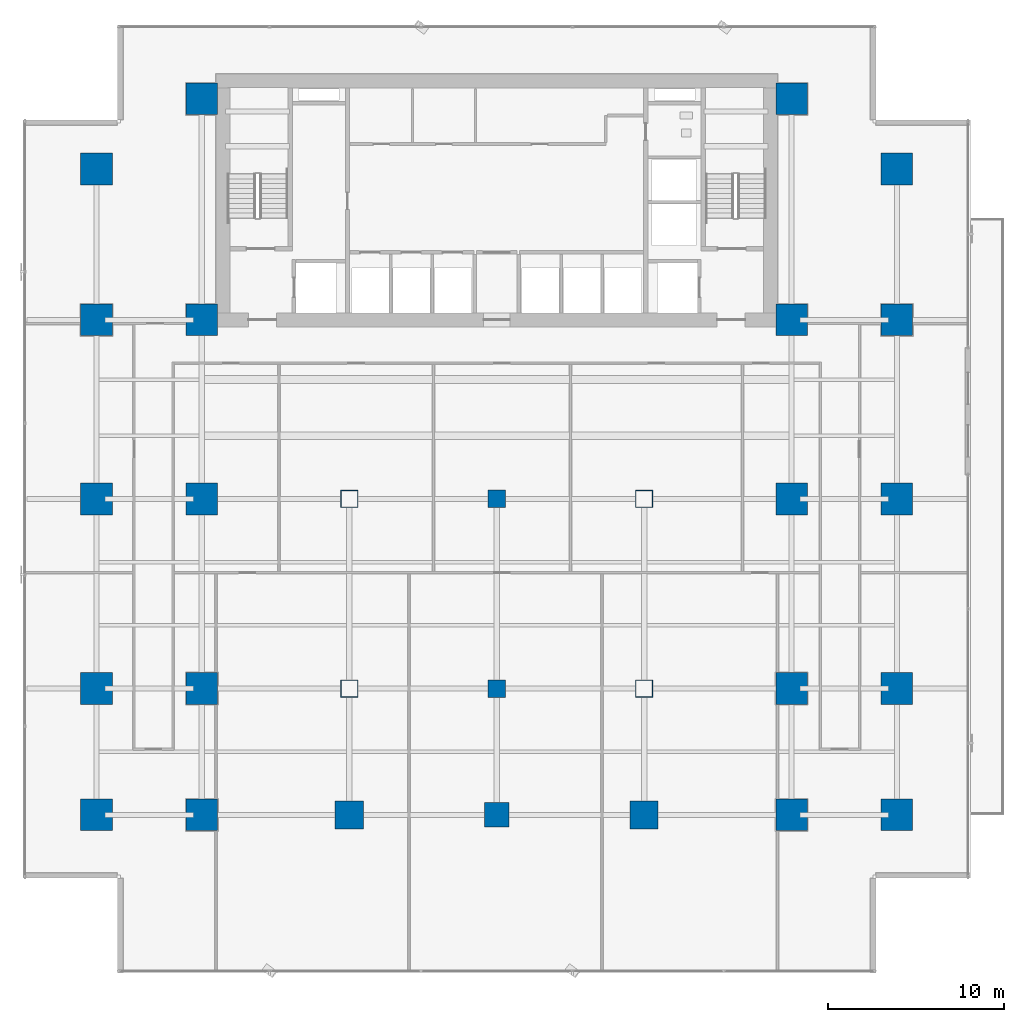
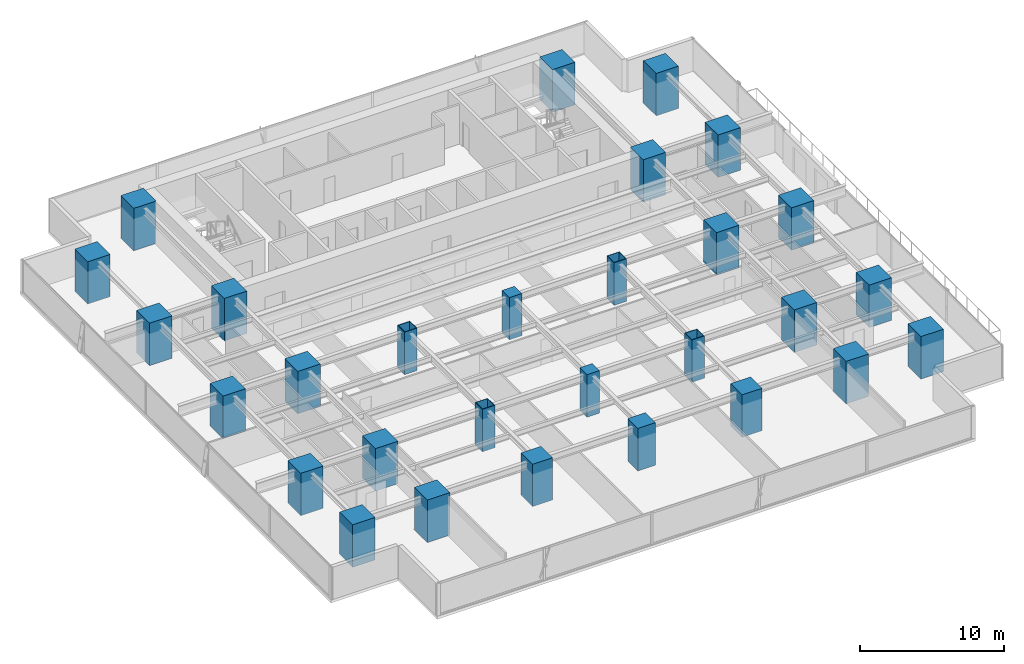
# One storey, part 1 of 33: 29 columns.
"""IFC4 building model written with IfcOpenShell, lengths in metres."""

from ifc_helpers import new_model, si_unit, direction, frame, origin, origin_2d, place, context, subcontext, project, spatial, rectangle, hollow_rectangle, extrude, source, transform, mapped, material, material_profile, profile_set, type_object, element, save


model = new_model("IFC4")

# Units and contexts
model_context = context("Model", 3, precision=1e-05, world=origin(), true_north=direction((0.0, 1.0)))
body_context = subcontext(model_context, "Body", "Model", "MODEL_VIEW")
ifc_project = project(units=[si_unit("LENGTHUNIT", "METRE"), si_unit("AREAUNIT", "SQUARE_METRE"), si_unit("VOLUMEUNIT", "CUBIC_METRE"), si_unit("PLANEANGLEUNIT", "RADIAN"), si_unit("MASSUNIT", "GRAM", prefix="KILO")], contexts=[model_context])

# Site, building, storey
site_placement = place(None, origin())
site = spatial("IfcSite", under=ifc_project, at=site_placement, CompositionType="ELEMENT")
building_placement = place(site_placement, origin())
building = spatial("IfcBuilding", under=site, at=building_placement, Name="Sumidabori Civic Tower", CompositionType="ELEMENT")
storey_placement = place(building_placement, frame((0.0, 0.0, 23.60009765625)))
storey = spatial("IfcBuildingStorey", under=building, at=storey_placement, Name="L05", CompositionType="ELEMENT", Elevation=23.60009765625)

# Columns
ifc_material_1 = material(Name="Concrete C60/75", Category="concrete")
ifc_material_profile_1 = material_profile(ifc_material_1, rectangle(XDim=1.800048828125, YDim=1.800048828125, at=origin_2d()), Name="RC 1800x1800")
ifc_profile_set_1 = profile_set([ifc_material_profile_1], Name="Concrete C60/75")
column_type_1 = type_object("IfcColumnType", Name="CL-MEGA-1800", PredefinedType="COLUMN", material=ifc_profile_set_1)
shared_shape_1 = source(origin(), body_context, "Body", "SweptSolid", [
    extrude(rectangle(XDim=1.800048828125, YDim=1.800048828125, at=origin_2d()), origin(), (0.0, 0.0, 1.0), 3.599853515625),
])
for number, where, z_axis, x_axis, name in (
    (1, (-16.800048828125, -18.0, 0.0), (0.0, 0.0, 1.0), (1.0, 0.0, 0.0), "Column MC-W16-Y18S L05"),
    (2, (-16.800048828125, -10.800048828125, 0.0), (0.0, 0.0, 1.0), (1.0, 0.0, 0.0), "Column MC-W16-Y11S L05"),
    (3, (-16.800048828125, 0.0, 0.0), (0.0, 0.0, 1.0), (1.0, 0.0, 0.0), "Column MC-W16-Y00 L05"),
    (4, (-16.800048828125, 10.199951171875, 0.0), (0.0, 0.0, 1.0), (1.0, 0.0, 0.0), "Column MC-W16-Y10N L05"),
    (5, (-16.800048828125, 22.800048828125, 0.0), (0.0, 0.0, 1.0), (1.0, 0.0, 0.0), "Column MC-W16-Y23N L05"),
    (6, (16.800048828125, -18.0, 0.0), (0.0, 0.0, 1.0), (1.0, 0.0, 0.0), "Column MC-E16-Y18S L05"),
    (7, (16.800048828125, -10.800048828125, 0.0), (0.0, 0.0, 1.0), (1.0, 0.0, 0.0), "Column MC-E16-Y11S L05"),
    (8, (16.800048828125, 0.0, 0.0), (0.0, 0.0, 1.0), (1.0, 0.0, 0.0), "Column MC-E16-Y00 L05"),
    (9, (16.800048828125, 10.199951171875, 0.0), (0.0, 0.0, 1.0), (1.0, 0.0, 0.0), "Column MC-E16-Y10N L05"),
    (10, (16.800048828125, 22.800048828125, 0.0), (0.0, 0.0, 1.0), (1.0, 0.0, 0.0), "Column MC-E16-Y23N L05"),
    (11, (-22.800048828125, -18.0, 0.0), (0.0, 0.0, 1.0), (1.0, 0.0, 0.0), "Column MC-W23-Y18S L05"),
    (12, (-22.800048828125, -10.800048828125, 0.0), (0.0, 0.0, 1.0), (1.0, 0.0, 0.0), "Column MC-W23-Y11S L05"),
    (13, (-22.800048828125, 0.0, 0.0), (0.0, 0.0, 1.0), (1.0, 0.0, 0.0), "Column MC-W23-Y00 L05"),
    (14, (-22.800048828125, 10.199951171875, 0.0), (0.0, 0.0, 1.0), (1.0, 0.0, 0.0), "Column MC-W23-Y10N L05"),
    (15, (-22.800048828125, 18.800048828125, 0.0), (0.0, 0.0, 1.0), (1.0, 0.0, 0.0), "Column MC-W23-Y19N L05"),
    (16, (22.800048828125, -18.0, 0.0), (0.0, 0.0, 1.0), (1.0, 0.0, 0.0), "Column MC-E23-Y18S L05"),
    (17, (22.800048828125, -10.800048828125, 0.0), (0.0, 0.0, 1.0), (1.0, 0.0, 0.0), "Column MC-E23-Y11S L05"),
    (18, (22.800048828125, 0.0, 0.0), (0.0, 0.0, 1.0), (1.0, 0.0, 0.0), "Column MC-E23-Y00 L05"),
    (19, (22.800048828125, 10.199951171875, 0.0), (0.0, 0.0, 1.0), (1.0, 0.0, 0.0), "Column MC-E23-Y10N L05"),
    (20, (22.800048828125, 18.800048828125, 0.0), (0.0, 0.0, 1.0), (1.0, 0.0, 0.0), "Column MC-E23-Y19N L05"),
):
    element("IfcColumn", number, at=place(storey_placement, frame(where, z_axis=z_axis, x_axis=x_axis)), inside=storey, type_object=column_type_1, Name=name, PredefinedType="COLUMN", context=body_context, shape_type="MappedRepresentation", body=[
        mapped(shared_shape_1, transform((0.0, 0.0, 0.0), x_axis=(1.0, 0.0, 0.0), y_axis=(0.0, 1.0, 0.0), z_axis=(0.0, 0.0, 1.0), scale=1.0)),
    ])
ifc_material_profile_2 = material_profile(ifc_material_1, rectangle(XDim=1.60009765625, YDim=1.60009765625, at=origin_2d()), Name="RC 1600x1600")
ifc_profile_set_2 = profile_set([ifc_material_profile_2], Name="Concrete C60/75")
column_type_2 = type_object("IfcColumnType", Name="CL-MEGA-1600", PredefinedType="COLUMN", material=ifc_profile_set_2)
shared_shape_2 = source(origin(), body_context, "Body", "SweptSolid", [
    extrude(rectangle(XDim=1.60009765625, YDim=1.60009765625, at=origin_2d()), origin(), (0.0, 0.0, 1.0), 3.599853515625),
])
for number, where, z_axis, x_axis, name in (
    (21, (-8.39990234375, -18.0, 0.0), (0.0, 0.0, 1.0), (1.0, 0.0, 0.0), "Column MC-W08-Y18S L05"),
    (22, (8.39990234375, -18.0, 0.0), (0.0, 0.0, 1.0), (1.0, 0.0, 0.0), "Column MC-E08-Y18S L05"),
):
    element("IfcColumn", number, at=place(storey_placement, frame(where, z_axis=z_axis, x_axis=x_axis)), inside=storey, type_object=column_type_2, Name=name, PredefinedType="COLUMN", context=body_context, shape_type="MappedRepresentation", body=[
        mapped(shared_shape_2, transform((0.0, 0.0, 0.0), x_axis=(1.0, 0.0, 0.0), y_axis=(0.0, 1.0, 0.0), z_axis=(0.0, 0.0, 1.0), scale=1.0)),
    ])
ifc_material_2 = material(Name="Steel SM570", Category="steel")
ifc_material_profile_3 = material_profile(ifc_material_2, hollow_rectangle(XDim=1.0, YDim=1.0, WallThickness=0.044921875, at=origin_2d()), Name="SHS 1000x1000x45")
ifc_profile_set_3 = profile_set([ifc_material_profile_3], Name="Steel SM570")
column_type_3 = type_object("IfcColumnType", Name="CL-PORTAL-SHS1000", PredefinedType="COLUMN", material=ifc_profile_set_3)
shared_shape_3 = source(origin(), body_context, "Body", "SweptSolid", [
    extrude(hollow_rectangle(XDim=1.0, YDim=1.0, WallThickness=0.044921875, at=origin_2d()), origin(), (0.0, 0.0, 1.0), 3.599853515625),
])
for number, where, z_axis, x_axis, name in (
    (23, (-8.39990234375, 0.0, 0.0), (0.0, 0.0, 1.0), (1.0, 0.0, 0.0), "Column MC-W08-Y00 L05"),
    (24, (-8.39990234375, -10.800048828125, 0.0), (0.0, 0.0, 1.0), (1.0, 0.0, 0.0), "Column MC-W08-Y11S L05"),
    (25, (8.39990234375, 0.0, 0.0), (0.0, 0.0, 1.0), (1.0, 0.0, 0.0), "Column MC-E08-Y00 L05"),
    (26, (8.39990234375, -10.800048828125, 0.0), (0.0, 0.0, 1.0), (1.0, 0.0, 0.0), "Column MC-E08-Y11S L05"),
):
    element("IfcColumn", number, at=place(storey_placement, frame(where, z_axis=z_axis, x_axis=x_axis)), inside=storey, type_object=column_type_3, Name=name, PredefinedType="COLUMN", context=body_context, shape_type="MappedRepresentation", body=[
        mapped(shared_shape_3, transform((0.0, 0.0, 0.0), x_axis=(1.0, 0.0, 0.0), y_axis=(0.0, 1.0, 0.0), z_axis=(0.0, 0.0, 1.0), scale=1.0)),
    ])
ifc_material_profile_4 = material_profile(ifc_material_1, rectangle(XDim=1.39990234375, YDim=1.39990234375, at=origin_2d()), Name="RC 1400x1400")
ifc_profile_set_4 = profile_set([ifc_material_profile_4], Name="Concrete C60/75")
column_type_4 = type_object("IfcColumnType", Name="CL-MEGA-1400", PredefinedType="COLUMN", material=ifc_profile_set_4)
shared_shape_4 = source(origin(), body_context, "Body", "SweptSolid", [
    extrude(rectangle(XDim=1.39990234375, YDim=1.39990234375, at=origin_2d()), origin(), (0.0, 0.0, 1.0), 3.599853515625),
])
column_placement = place(storey_placement, frame((0.0, -18.0, 0.0), z_axis=(0.0, 0.0, 1.0), x_axis=(1.0, 0.0, 0.0)))
element("IfcColumn", 27, at=column_placement, inside=storey, type_object=column_type_4, Name="Column MC-C00-Y18S L05", PredefinedType="COLUMN", context=body_context, shape_type="MappedRepresentation", body=[
    mapped(shared_shape_4, transform((0.0, 0.0, 0.0), x_axis=(1.0, 0.0, 0.0), y_axis=(0.0, 1.0, 0.0), z_axis=(0.0, 0.0, 1.0), scale=1.0)),
])
ifc_material_3 = material(Name="Concrete C50/60", Category="concrete")
ifc_material_profile_5 = material_profile(ifc_material_3, rectangle(XDim=1.0, YDim=1.0, at=origin_2d()), Name="RC 1000x1000")
ifc_profile_set_5 = profile_set([ifc_material_profile_5], Name="Concrete C50/60")
column_type_5 = type_object("IfcColumnType", Name="CL-INT-1000", PredefinedType="COLUMN", material=ifc_profile_set_5)
shared_shape_5 = source(origin(), body_context, "Body", "SweptSolid", [
    extrude(rectangle(XDim=1.0, YDim=1.0, at=origin_2d()), origin(), (0.0, 0.0, 1.0), 3.599853515625),
])
for number, where, z_axis, x_axis, name in (
    (28, (0.0, -10.800048828125, 0.0), (0.0, 0.0, 1.0), (1.0, 0.0, 0.0), "Column MC-C00-Y11S L05"),
    (29, (0.0, 0.0, 0.0), (0.0, 0.0, 1.0), (1.0, 0.0, 0.0), "Column MC-C00-Y00 L05"),
):
    element("IfcColumn", number, at=place(storey_placement, frame(where, z_axis=z_axis, x_axis=x_axis)), inside=storey, type_object=column_type_5, Name=name, PredefinedType="COLUMN", context=body_context, shape_type="MappedRepresentation", body=[
        mapped(shared_shape_5, transform((0.0, 0.0, 0.0), x_axis=(1.0, 0.0, 0.0), y_axis=(0.0, 1.0, 0.0), z_axis=(0.0, 0.0, 1.0), scale=1.0)),
    ])

save(model, "model.ifc")
